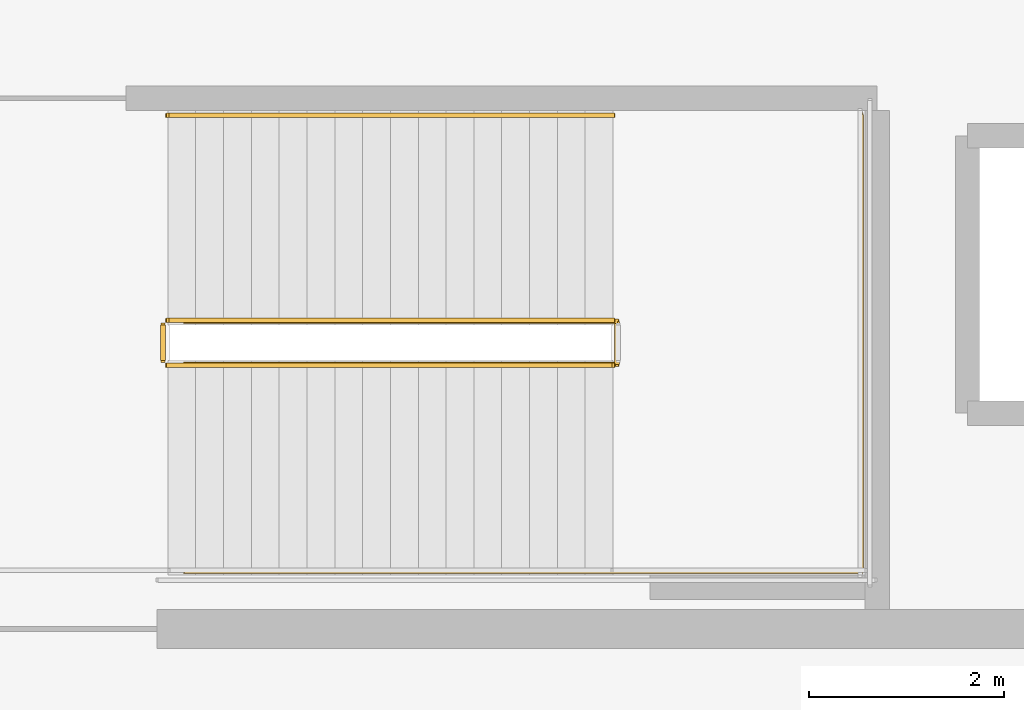
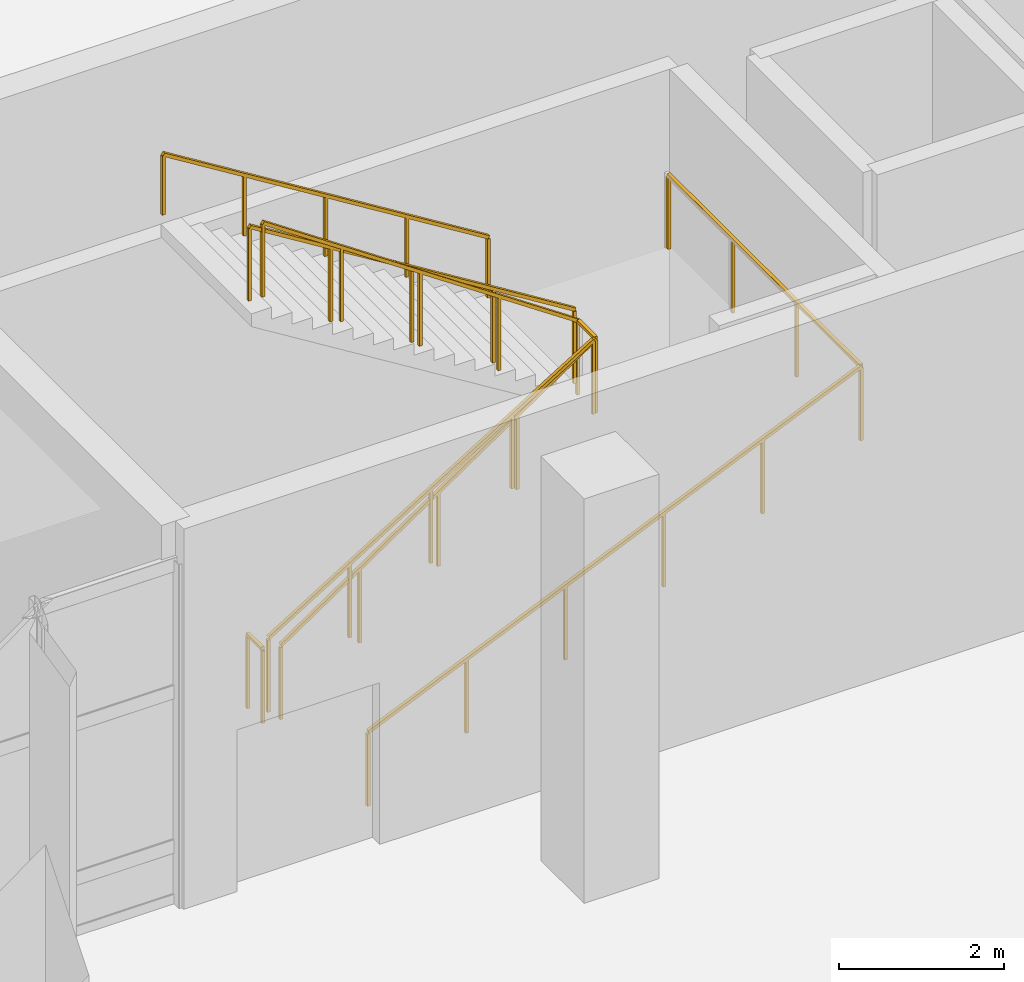
# One storey, part 149 of 163: 6 railings.
"""IFC4 building model written with IfcOpenShell, lengths in metres."""

from ifc_helpers import new_model, si_unit, direction, frame, origin, origin_2d, place, context, subcontext, project, spatial, rectangle, extrude, material, type_object, element, save


model = new_model("IFC4")

# Units and contexts
model_context = context("Model", 3, precision=1e-05, world=origin(), true_north=direction((0.0, 1.0)))
body_context = subcontext(model_context, "Body", "Model", "MODEL_VIEW")
ifc_project = project(units=[si_unit("LENGTHUNIT", "METRE"), si_unit("AREAUNIT", "SQUARE_METRE"), si_unit("VOLUMEUNIT", "CUBIC_METRE"), si_unit("PLANEANGLEUNIT", "RADIAN"), si_unit("MASSUNIT", "GRAM", prefix="KILO")], contexts=[model_context])

# Site, building, storey
site_placement = place(None, origin())
site = spatial("IfcSite", under=ifc_project, at=site_placement, CompositionType="ELEMENT")
building_placement = place(site_placement, origin())
building = spatial("IfcBuilding", under=site, at=building_placement, Name="Khorjan Park Terminus", CompositionType="ELEMENT")
storey_placement = place(building_placement, origin())
storey = spatial("IfcBuildingStorey", under=building, at=storey_placement, Name="L00", CompositionType="ELEMENT", Elevation=0.0)

# Railings
ifc_material = material(Name="Steel S355", Category="steel")
railing_type_1 = type_object("IfcRailingType", Name="GR-112", PredefinedType="GUARDRAIL", material=ifc_material)
railing_1_placement = place(storey_placement, frame((118.06, 30.7, 0.1765)))
element("IfcRailing", 1, at=railing_1_placement, inside=storey, type_object=railing_type_1, Name="L00 ST-02 stair guard 1", PredefinedType="GUARDRAIL", context=body_context, shape_type="SweptSolid", body=[
    extrude(rectangle(XDim=0.048, YDim=0.048, at=origin_2d()), frame((0.0, 0.0, 1.096), z_axis=(0.850211499722, 0.0, 0.526441265234), x_axis=(0.0, 1.0, 0.0)), (0.0, 0.0, 1.0), 5.3634),
    extrude(rectangle(XDim=0.042, YDim=0.042, at=origin_2d()), origin(), (0.0, 0.0, 1.0), 1.072),
    extrude(rectangle(XDim=0.042, YDim=0.042, at=origin_2d()), frame((1.14, 0.0, 0.7059)), (0.0, 0.0, 1.0), 1.072),
    extrude(rectangle(XDim=0.042, YDim=0.042, at=origin_2d()), frame((2.28, 0.0, 1.4118)), (0.0, 0.0, 1.0), 1.072),
    extrude(rectangle(XDim=0.042, YDim=0.042, at=origin_2d()), frame((3.42, 0.0, 2.1176)), (0.0, 0.0, 1.0), 1.072),
    extrude(rectangle(XDim=0.042, YDim=0.042, at=origin_2d()), frame((4.56, 0.0, 2.8235)), (0.0, 0.0, 1.0), 1.072),
])
railing_2_placement = place(storey_placement, frame((122.62, 31.16, 3.1765)))
element("IfcRailing", 2, at=railing_2_placement, inside=storey, type_object=railing_type_1, Name="L00 ST-02 stair guard 5", PredefinedType="GUARDRAIL", context=body_context, shape_type="SweptSolid", body=[
    extrude(rectangle(XDim=0.048, YDim=0.048, at=origin_2d()), frame((0.0, 0.0, 1.096), z_axis=(-0.850211499722, 0.0, 0.526441265234), x_axis=(0.0, -1.0, 0.0)), (0.0, 0.0, 1.0), 5.3634),
    extrude(rectangle(XDim=0.042, YDim=0.042, at=origin_2d()), origin(), (0.0, 0.0, 1.0), 1.072),
    extrude(rectangle(XDim=0.042, YDim=0.042, at=origin_2d()), frame((-1.14, 0.0, 0.7059)), (0.0, 0.0, 1.0), 1.072),
    extrude(rectangle(XDim=0.042, YDim=0.042, at=origin_2d()), frame((-2.28, 0.0, 1.4118)), (0.0, 0.0, 1.0), 1.072),
    extrude(rectangle(XDim=0.042, YDim=0.042, at=origin_2d()), frame((-3.42, 0.0, 2.1176)), (0.0, 0.0, 1.0), 1.072),
    extrude(rectangle(XDim=0.042, YDim=0.042, at=origin_2d()), frame((-4.56, 0.0, 2.8235)), (0.0, 0.0, 1.0), 1.072),
])
railing_3_placement = place(storey_placement, frame((118.01, 30.75, 0.0)))
element("IfcRailing", 3, at=railing_3_placement, inside=storey, type_object=railing_type_1, Name="L00 ST-02 stair guard 6", PredefinedType="GUARDRAIL", context=body_context, shape_type="SweptSolid", body=[
    extrude(rectangle(XDim=0.048, YDim=0.048, at=origin_2d()), frame((0.0, 0.0, 1.096), z_axis=(0.0, 1.0, 0.0), x_axis=(-1.0, 0.0, 0.0)), (0.0, 0.0, 1.0), 0.36),
    extrude(rectangle(XDim=0.042, YDim=0.042, at=origin_2d()), origin(), (0.0, 0.0, 1.0), 1.072),
    extrude(rectangle(XDim=0.042, YDim=0.042, at=origin_2d()), frame((0.0, 0.36, 0.0)), (0.0, 0.0, 1.0), 1.072),
])
railing_4_placement = place(storey_placement, frame((118.24, 30.71, 0.0)))
element("IfcRailing", 4, at=railing_4_placement, inside=storey, type_object=railing_type_1, Name="Core K2 stair well slot guard GR-112 (L00)", PredefinedType="GUARDRAIL", context=body_context, shape_type="SweptSolid", body=[
    extrude(rectangle(XDim=0.048, YDim=0.048, at=origin_2d()), frame((0.0, 0.0, 1.096), z_axis=(0.827413642594, 0.0, 0.561592970086), x_axis=(0.0, 1.0, 0.0)), (0.0, 0.0, 1.0), 5.3419),
    extrude(rectangle(XDim=0.048, YDim=0.048, at=origin_2d()), frame((4.42, 0.0, 4.096), z_axis=(0.0, 1.0, 0.0), x_axis=(-1.0, 0.0, 0.0)), (0.0, 0.0, 1.0), 0.44),
    extrude(rectangle(XDim=0.048, YDim=0.048, at=origin_2d()), frame((4.42, 0.44, 4.096), z_axis=(-0.827413642594, 0.0, 0.561592970086), x_axis=(0.0, -1.0, 0.0)), (0.0, 0.0, 1.0), 5.3419),
    extrude(rectangle(XDim=0.042, YDim=0.042, at=origin_2d()), origin(), (0.0, 0.0, 1.0), 1.072),
    extrude(rectangle(XDim=0.042, YDim=0.042, at=origin_2d()), frame((1.105, 0.0, 0.75)), (0.0, 0.0, 1.0), 1.072),
    extrude(rectangle(XDim=0.042, YDim=0.042, at=origin_2d()), frame((2.21, 0.0, 1.5)), (0.0, 0.0, 1.0), 1.072),
    extrude(rectangle(XDim=0.042, YDim=0.042, at=origin_2d()), frame((3.315, 0.0, 2.25)), (0.0, 0.0, 1.0), 1.072),
    extrude(rectangle(XDim=0.042, YDim=0.042, at=origin_2d()), frame((4.42, 0.0, 3.0)), (0.0, 0.0, 1.0), 1.072),
    extrude(rectangle(XDim=0.042, YDim=0.042, at=origin_2d()), frame((4.42, 0.44, 3.0)), (0.0, 0.0, 1.0), 1.072),
    extrude(rectangle(XDim=0.042, YDim=0.042, at=origin_2d()), frame((3.315, 0.44, 3.75)), (0.0, 0.0, 1.0), 1.072),
    extrude(rectangle(XDim=0.042, YDim=0.042, at=origin_2d()), frame((2.21, 0.44, 4.5)), (0.0, 0.0, 1.0), 1.072),
    extrude(rectangle(XDim=0.042, YDim=0.042, at=origin_2d()), frame((1.105, 0.44, 5.25)), (0.0, 0.0, 1.0), 1.072),
    extrude(rectangle(XDim=0.042, YDim=0.042, at=origin_2d()), frame((0.0, 0.44, 6.0)), (0.0, 0.0, 1.0), 1.072),
])
railing_5_placement = place(storey_placement, frame((118.24, 28.59, 0.0)))
element("IfcRailing", 5, at=railing_5_placement, inside=storey, type_object=railing_type_1, Name="Core K2 stair side & landing guard GR-112 (L00)", PredefinedType="GUARDRAIL", context=body_context, shape_type="SweptSolid", body=[
    extrude(rectangle(XDim=0.048, YDim=0.048, at=origin_2d()), frame((0.0, 0.0, 1.096), z_axis=(0.917491118927, 0.0, 0.397756265431), x_axis=(0.0, 1.0, 0.0)), (0.0, 0.0, 1.0), 7.5423),
    extrude(rectangle(XDim=0.048, YDim=0.048, at=origin_2d()), frame((6.92, 0.0, 4.096), z_axis=(0.0, 1.0, 0.0), x_axis=(-1.0, 0.0, 0.0)), (0.0, 0.0, 1.0), 4.68),
    extrude(rectangle(XDim=0.042, YDim=0.042, at=origin_2d()), origin(), (0.0, 0.0, 1.0), 1.072),
    extrude(rectangle(XDim=0.042, YDim=0.042, at=origin_2d()), frame((1.384, 0.0, 0.6)), (0.0, 0.0, 1.0), 1.072),
    extrude(rectangle(XDim=0.042, YDim=0.042, at=origin_2d()), frame((2.768, 0.0, 1.2)), (0.0, 0.0, 1.0), 1.072),
    extrude(rectangle(XDim=0.042, YDim=0.042, at=origin_2d()), frame((4.152, 0.0, 1.8)), (0.0, 0.0, 1.0), 1.072),
    extrude(rectangle(XDim=0.042, YDim=0.042, at=origin_2d()), frame((5.536, 0.0, 2.4)), (0.0, 0.0, 1.0), 1.072),
    extrude(rectangle(XDim=0.042, YDim=0.042, at=origin_2d()), frame((6.92, 0.0, 3.0)), (0.0, 0.0, 1.0), 1.072),
    extrude(rectangle(XDim=0.042, YDim=0.042, at=origin_2d()), frame((6.92, 1.56, 3.0)), (0.0, 0.0, 1.0), 1.072),
    extrude(rectangle(XDim=0.042, YDim=0.042, at=origin_2d()), frame((6.92, 3.12, 3.0)), (0.0, 0.0, 1.0), 1.072),
    extrude(rectangle(XDim=0.042, YDim=0.042, at=origin_2d()), frame((6.92, 4.68, 3.0)), (0.0, 0.0, 1.0), 1.072),
])
railing_type_2 = type_object("IfcRailingType", Name="HR-92", PredefinedType="HANDRAIL", material=ifc_material)
railing_6_placement = place(storey_placement, frame((122.62, 33.26, 3.1765)))
element("IfcRailing", 6, at=railing_6_placement, inside=storey, type_object=railing_type_2, Name="L00 ST-02 stair handrail 2", PredefinedType="HANDRAIL", context=body_context, shape_type="SweptSolid", body=[
    extrude(rectangle(XDim=0.048, YDim=0.048, at=origin_2d()), frame((0.0, 0.0, 0.896), z_axis=(-0.850211499722, 0.0, 0.526441265234), x_axis=(0.0, -1.0, 0.0)), (0.0, 0.0, 1.0), 5.3634),
    extrude(rectangle(XDim=0.042, YDim=0.042, at=origin_2d()), origin(), (0.0, 0.0, 1.0), 0.872),
    extrude(rectangle(XDim=0.042, YDim=0.042, at=origin_2d()), frame((-1.14, 0.0, 0.7059)), (0.0, 0.0, 1.0), 0.872),
    extrude(rectangle(XDim=0.042, YDim=0.042, at=origin_2d()), frame((-2.28, 0.0, 1.4118)), (0.0, 0.0, 1.0), 0.872),
    extrude(rectangle(XDim=0.042, YDim=0.042, at=origin_2d()), frame((-3.42, 0.0, 2.1176)), (0.0, 0.0, 1.0), 0.872),
    extrude(rectangle(XDim=0.042, YDim=0.042, at=origin_2d()), frame((-4.56, 0.0, 2.8235)), (0.0, 0.0, 1.0), 0.872),
])

save(model, "model.ifc")
